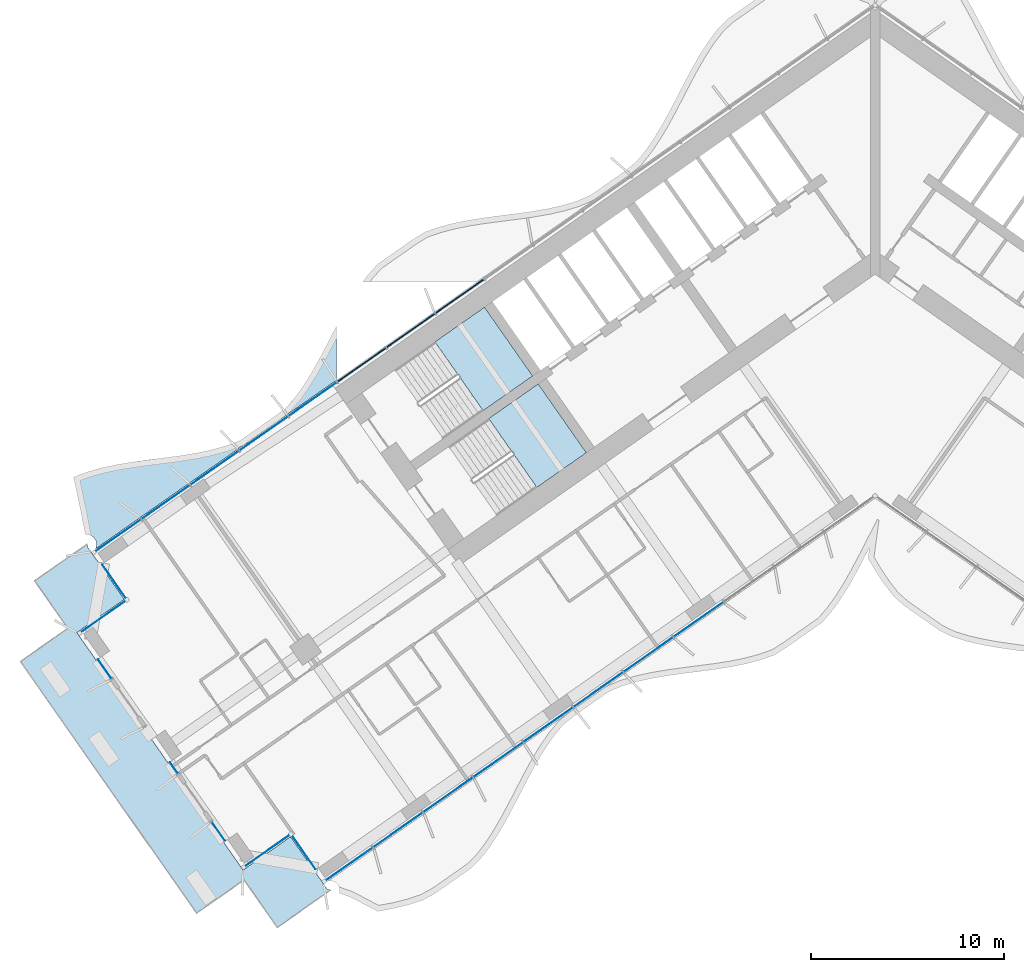
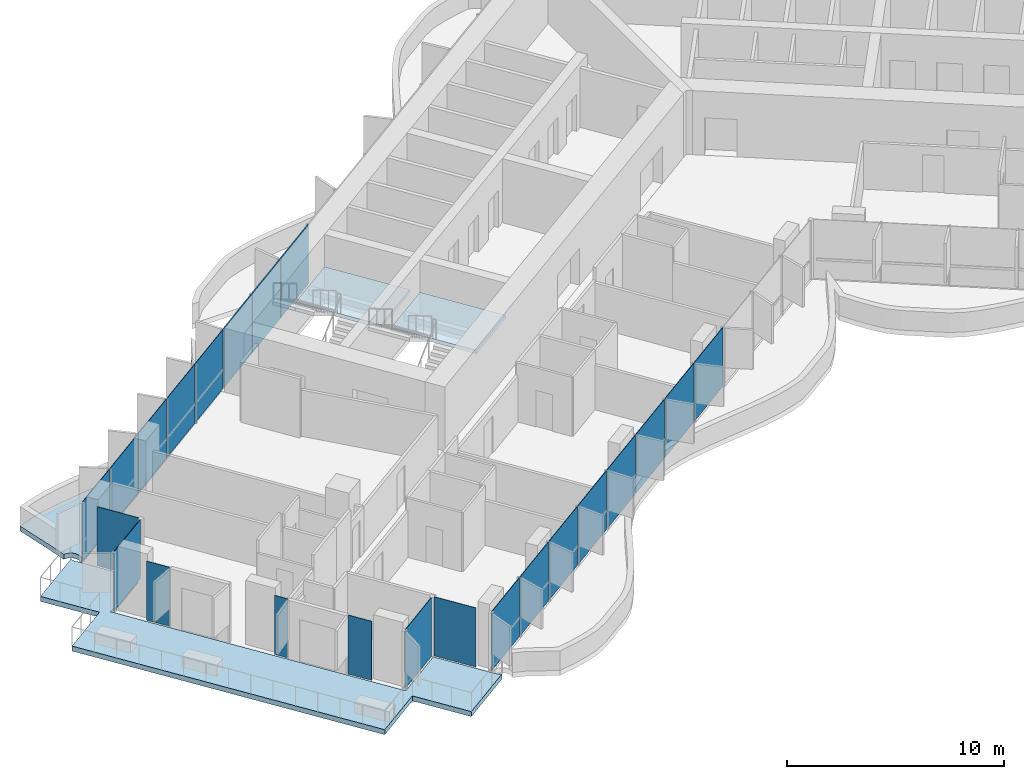
# One storey, part 10 of 25: 23 plates, 4 slabs, 6 elements without a shape of their own.
"""IFC4 building model written with IfcOpenShell, lengths in metres."""

import ifcopenshell
import ifcopenshell.guid

model = None  # the IFC model being written
_history = None  # IfcOwnerHistory: only IFC2X3 demands one
_inside = {}  # id of a spatial element -> (the spatial element, [elements in it])
_under = {}  # id of a project, library or spatial element -> (it, [spatial elements below it])
_declared = {}  # id of a project -> (the project, [libraries it declares])
_typed = {}  # id of a type object -> (the type object, [elements of that type])
_made_of = {}  # id of a material, layer set ... -> (it, [elements and type objects made of it])


def new_model(schema):
    """Start an empty IFC model of exactly this schema.

    Asked for "IFC4X3", IfcOpenShell would pick the latest addendum, in which some entities
    have other attributes; the version numbers below select the first issue.
    IFC2X3 requires an IfcOwnerHistory on every rooted entity: one is made here for all.
    """
    global model, _history
    if schema == "IFC4X3":
        model = ifcopenshell.file(schema_version=(4, 3, 0, 0))
    else:
        model = ifcopenshell.file(schema=schema)
    _inside.clear()
    _under.clear()
    _declared.clear()
    _typed.clear()
    _made_of.clear()
    _history = None
    if model.schema == "IFC2X3":
        org = make("IfcOrganization", Name="unknown")
        user = make(
            "IfcPersonAndOrganization",
            ThePerson=make("IfcPerson", FamilyName="unknown"),
            TheOrganization=org,
        )
        app = make(
            "IfcApplication",
            ApplicationDeveloper=org,
            Version="unknown",
            ApplicationFullName="unknown",
            ApplicationIdentifier="unknown",
        )
        _history = make(
            "IfcOwnerHistory",
            OwningUser=user,
            OwningApplication=app,
            ChangeAction="ADDED",
            CreationDate=0,
        )
    return model


def make(cls, **values):
    """One entity of the class cls with the attributes given. An attribute that is None is left unset."""
    return model.create_entity(
        cls, **{name: value for name, value in values.items() if value is not None}
    )


def rooted(cls, **values):
    """An entity with a GlobalId (a new one), such as an element, a storey or a relation."""
    return make(cls, GlobalId=ifcopenshell.guid.new(), OwnerHistory=_history, **values)


def si_unit(unit_type, name, prefix=None):
    """IfcSIUnit, for example si_unit("LENGTHUNIT", "METRE", prefix="MILLI")."""
    return make("IfcSIUnit", UnitType=unit_type, Prefix=prefix, Name=name)


def assignment(units):
    """IfcUnitAssignment: the units of a project."""
    return None if units is None else make("IfcUnitAssignment", Units=units)


def point(xyz):
    """IfcCartesianPoint."""
    return None if xyz is None else make("IfcCartesianPoint", Coordinates=xyz)


def direction(xyz):
    """IfcDirection."""
    return None if xyz is None else make("IfcDirection", DirectionRatios=xyz)


def frame(location, z_axis=None, x_axis=None):
    """IfcAxis2Placement3D, a coordinate frame: its origin and axes. An axis left out is left unset."""
    return make(
        "IfcAxis2Placement3D",
        Location=point(location),
        Axis=direction(z_axis),
        RefDirection=direction(x_axis),
    )


def frame_2d(location, x_axis=None):
    """IfcAxis2Placement2D, a coordinate frame in the plane: its origin and x axis."""
    return make(
        "IfcAxis2Placement2D", Location=point(location), RefDirection=direction(x_axis)
    )


def origin():
    """The frame at (0, 0, 0) with its axes left unset."""
    return frame((0.0, 0.0, 0.0))


def origin_2d():
    """The frame at (0, 0) in the plane with its x axis left unset."""
    return frame_2d((0.0, 0.0))


def place(relative_to, where):
    """IfcLocalPlacement: puts the frame where relative to a parent placement (None: the world)."""
    return make(
        "IfcLocalPlacement", PlacementRelTo=relative_to, RelativePlacement=where
    )


def context(
    kind, dimensions, precision=None, world=None, true_north=None, identifier=None
):
    """IfcGeometricRepresentationContext, for example the 3D "Model" context."""
    return make(
        "IfcGeometricRepresentationContext",
        ContextIdentifier=identifier,
        ContextType=kind,
        CoordinateSpaceDimension=dimensions,
        Precision=precision,
        WorldCoordinateSystem=world,
        TrueNorth=true_north,
    )


def subcontext(parent, identifier, kind, view, scale=None):
    """IfcGeometricRepresentationSubContext, for example "Body" below "Model"."""
    return make(
        "IfcGeometricRepresentationSubContext",
        ContextIdentifier=identifier,
        ContextType=kind,
        ParentContext=parent,
        TargetScale=scale,
        TargetView=view,
    )


def project(units=None, contexts=None):
    """IfcProject with its units and contexts."""
    return rooted(
        "IfcProject",
        Name="project",
        RepresentationContexts=contexts,
        UnitsInContext=assignment(units),
    )


def spatial(cls, under=None, at=None, **own):
    """A site, building, storey or space (cls), placed at a placement, below another one or the project."""
    s = rooted(cls, ObjectPlacement=at, **own)
    if under is not None:
        _under.setdefault(under.id(), (under, []))[1].append(s)
    return s


def polyline(points):
    """IfcPolyline through the points."""
    return make("IfcPolyline", Points=[point(p) for p in points])


def profile(cls, at=None, kind="AREA", **sizes):
    """A parametric profile (cls). Its sizes go by their IFC names, for example OverallWidth=200.0."""
    return make(cls, ProfileType=kind, Position=at, **sizes)


def rectangle(**sizes):
    """IfcRectangleProfileDef."""
    return profile("IfcRectangleProfileDef", **sizes)


def outline(outer, holes=None, kind="AREA"):
    """IfcArbitraryClosedProfileDef: a profile drawn as a closed curve; with holes, ...WithVoids."""
    if holes is None:
        return make("IfcArbitraryClosedProfileDef", ProfileType=kind, OuterCurve=outer)
    return make(
        "IfcArbitraryProfileDefWithVoids",
        ProfileType=kind,
        OuterCurve=outer,
        InnerCurves=holes,
    )


def extrude(swept, where, along, depth):
    """IfcExtrudedAreaSolid: the profile swept, set in the frame where, extruded along a direction by depth."""
    return make(
        "IfcExtrudedAreaSolid",
        SweptArea=swept,
        Position=where,
        ExtrudedDirection=direction(along),
        Depth=depth,
    )


def shape(context_of_items, identifier, shape_type, items):
    """IfcShapeRepresentation: the items that make up one representation, for example the "Body"."""
    return make(
        "IfcShapeRepresentation",
        ContextOfItems=context_of_items,
        RepresentationIdentifier=identifier,
        RepresentationType=shape_type,
        Items=items,
    )


def material(Name=None, Category=None):
    """IfcMaterial."""
    return make("IfcMaterial", Name=Name, Category=Category)


def layer(
    of_material, thickness, ventilated=None, Name=None, Category=None, Priority=None
):
    """IfcMaterialLayer: one layer of a wall or slab, of a material (None: an air gap)."""
    return make(
        "IfcMaterialLayer",
        Material=of_material,
        LayerThickness=thickness,
        IsVentilated=ventilated,
        Name=Name,
        Category=Category,
        Priority=Priority,
    )


def layer_set(layers, Name=None):
    """IfcMaterialLayerSet."""
    return make("IfcMaterialLayerSet", MaterialLayers=layers, LayerSetName=Name)


def made_of(thing, what):
    """Note that an element or type object is made of a material, layer set ...; save() writes the relation."""
    if what is not None:
        _made_of.setdefault(what.id(), (what, []))[1].append(thing)
    return thing


def type_object(cls, material=None, **own):
    """A type object (cls), such as IfcWallType, which elements share."""
    return made_of(rooted(cls, **own), material)


def element(
    cls,
    number,
    at=None,
    inside=None,
    cuts=None,
    type_object=None,
    material=None,
    context=None,
    identifier="Body",
    shape_type=None,
    held_by="IfcProductDefinitionShape",
    body=None,
    shapes=None,
    **own,
):
    """One element of the class cls, such as IfcWall. Its Tag is "e" and its number.

    at: its placement. inside: the storey or other place that contains it. cuts: it is an
    opening in that element (IfcRelVoidsElement). A single representation is given by context,
    identifier, shape_type and body (its items); several are given by shapes. held_by: the class
    of the entity that holds the representations. save() writes the other relations.
    """
    e = rooted(cls, Tag="e%d" % number, ObjectPlacement=at, **own)
    if body is not None:
        shapes = [shape(context, identifier, shape_type, body)]
    if shapes is not None:
        e.Representation = make(held_by, Representations=shapes)
    if inside is not None:
        _inside.setdefault(inside.id(), (inside, []))[1].append(e)
    if cuts is not None:
        rooted(
            "IfcRelVoidsElement", RelatingBuildingElement=cuts, RelatedOpeningElement=e
        )
    if type_object is not None:
        _typed.setdefault(type_object.id(), (type_object, []))[1].append(e)
    return made_of(e, material)


def aggregate(whole, parts):
    """IfcRelAggregates: a whole, such as a stair, and the parts it consists of."""
    return rooted("IfcRelAggregates", RelatingObject=whole, RelatedObjects=parts)


def save(model, path):
    """Write the relations noted so far, then the file.

    IfcRelAggregates (storeys below a building ...), IfcRelContainedInSpatialStructure (elements
    in a storey), IfcRelDefinesByType, IfcRelAssociatesMaterial and IfcRelDeclares: one each for
    every whole, place, type object, material and project.
    """
    for whole, parts in _under.values():
        aggregate(whole, parts)
    for where, things in _inside.values():
        rooted(
            "IfcRelContainedInSpatialStructure",
            RelatedElements=things,
            RelatingStructure=where,
        )
    for kind, things in _typed.values():
        rooted("IfcRelDefinesByType", RelatedObjects=things, RelatingType=kind)
    for what, things in _made_of.values():
        rooted("IfcRelAssociatesMaterial", RelatedObjects=things, RelatingMaterial=what)
    for by, libraries in _declared.values():
        rooted("IfcRelDeclares", RelatingContext=by, RelatedDefinitions=libraries)
    model.write(path)


model = new_model("IFC4")

# Units and contexts
model_context = context("Model", 3, precision=1e-05, world=origin(), true_north=direction((0.0, 1.0)))
body_context = subcontext(model_context, "Body", "Model", "MODEL_VIEW")
ifc_project = project(units=[si_unit("LENGTHUNIT", "METRE"), si_unit("AREAUNIT", "SQUARE_METRE"), si_unit("VOLUMEUNIT", "CUBIC_METRE"), si_unit("PLANEANGLEUNIT", "RADIAN"), si_unit("MASSUNIT", "GRAM", prefix="KILO")], contexts=[model_context])

# Site, building, storey
site_placement = place(None, origin())
site = spatial("IfcSite", under=ifc_project, at=site_placement, CompositionType="ELEMENT")
building_placement = place(site_placement, origin())
building = spatial("IfcBuilding", under=site, at=building_placement, Name="Tel Ilan Convention Tower", CompositionType="ELEMENT")
storey_placement = place(building_placement, frame((0.0, 0.0, 97.699951171875)))
storey = spatial("IfcBuildingStorey", under=building, at=storey_placement, Name="L20", CompositionType="ELEMENT", Elevation=97.699951171875)

# Curtain wall, plates
ifc_material_1 = material(Name="Aluminium, bronze anodised", Category="aluminium")
curtain_wall_type_1 = type_object("IfcCurtainWallType", Name="CW1 UNITISED CURTAIN WALL, HOTEL TINTED GLASS", PredefinedType="NOTDEFINED", material=ifc_material_1)
curtain_wall_1_placement = place(storey_placement, origin())
curtain_wall_1 = element("IfcCurtainWall", 1, at=curtain_wall_1_placement, inside=storey, type_object=curtain_wall_type_1, Name="Curtain wall CW1-18.02", PredefinedType="NOTDEFINED")
ifc_material_2 = material(Name="Glass, bronze tinted, two-ply unitised", Category="glass")
ifc_layer_1 = layer(ifc_material_2, 0.028076171875)
ifc_layer_set_1 = layer_set([ifc_layer_1], Name="CW HOTEL GLASS PANEL 28")
plate_type_1 = type_object("IfcPlateType", Name="CW HOTEL GLASS PANEL 28", PredefinedType="CURTAIN_PANEL", material=ifc_layer_set_1)
plate_1_placement = place(storey_placement, frame((-29.1171875, -7.692138671875, 0.0), z_axis=(0.0, 0.0, 1.0), x_axis=(-0.819152044289, -0.573576436351, 0.0)))
plate_1 = element("IfcPlate", 2, at=plate_1_placement, type_object=plate_type_1, Name="Glass panel", PredefinedType="CURTAIN_PANEL", context=body_context, shape_type="SweptSolid", body=[
    extrude(rectangle(XDim=3.037109375, YDim=0.028076171875, at=origin_2d()), origin(), (0.0, 0.0, 1.0), 3.320068359375),
])
plate_2_placement = place(storey_placement, frame((-31.654296875, -9.468505859375, 0.0), z_axis=(0.0, 0.0, 1.0), x_axis=(-0.819152044289, -0.573576436351, 0.0)))
plate_2 = element("IfcPlate", 3, at=plate_2_placement, type_object=plate_type_1, Name="Glass panel", PredefinedType="CURTAIN_PANEL", context=body_context, shape_type="SweptSolid", body=[
    extrude(rectangle(XDim=3.037109375, YDim=0.028076171875, at=origin_2d()), origin(), (0.0, 0.0, 1.0), 3.320068359375),
])
plate_3_placement = place(storey_placement, frame((-34.191162109375, -11.244873046875, 0.0), z_axis=(0.0, 0.0, 1.0), x_axis=(-0.819152044289, -0.573576436351, 0.0)))
plate_3 = element("IfcPlate", 4, at=plate_3_placement, type_object=plate_type_1, Name="Glass panel", PredefinedType="CURTAIN_PANEL", context=body_context, shape_type="SweptSolid", body=[
    extrude(rectangle(XDim=3.037109375, YDim=0.028076171875, at=origin_2d()), origin(), (0.0, 0.0, 1.0), 3.320068359375),
])
plate_4_placement = place(storey_placement, frame((-36.72802734375, -13.021240234375, 0.0), z_axis=(0.0, 0.0, 1.0), x_axis=(-0.819152044289, -0.573576436351, 0.0)))
plate_4 = element("IfcPlate", 5, at=plate_4_placement, type_object=plate_type_1, Name="Glass panel", PredefinedType="CURTAIN_PANEL", context=body_context, shape_type="SweptSolid", body=[
    extrude(rectangle(XDim=3.037109375, YDim=0.028076171875, at=origin_2d()), origin(), (0.0, 0.0, 1.0), 3.320068359375),
])
plate_5_placement = place(storey_placement, frame((-39.2265625, -14.7705078125, 0.0), z_axis=(0.0, 0.0, 1.0), x_axis=(-0.819152044289, -0.573576436351, 0.0)))
plate_5 = element("IfcPlate", 6, at=plate_5_placement, type_object=plate_type_1, Name="Glass panel", PredefinedType="CURTAIN_PANEL", context=body_context, shape_type="SweptSolid", body=[
    extrude(rectangle(XDim=2.943115234375, YDim=0.028076171875, at=origin_2d()), origin(), (0.0, 0.0, 1.0), 3.320068359375),
])
plate_6_placement = place(storey_placement, frame((-39.3974609375, -17.133544921875, 0.0), z_axis=(0.0, 0.0, 1.0), x_axis=(0.573576436351, -0.819152044289, 0.0)))
plate_6 = element("IfcPlate", 7, at=plate_6_placement, type_object=plate_type_1, Name="Glass panel", PredefinedType="CURTAIN_PANEL", context=body_context, shape_type="SweptSolid", body=[
    extrude(rectangle(XDim=2.123046875, YDim=0.028076171875, at=origin_2d()), origin(), (0.0, 0.0, 1.0), 3.320068359375),
])
plate_7_placement = place(storey_placement, frame((-39.990966796875, -18.96826171875, 0.0), z_axis=(0.0, 0.0, 1.0), x_axis=(-0.819152044289, -0.573576436351, 0.0)))
plate_7 = element("IfcPlate", 8, at=plate_7_placement, type_object=plate_type_1, Name="Glass panel", PredefinedType="CURTAIN_PANEL", context=body_context, shape_type="SweptSolid", body=[
    extrude(rectangle(XDim=2.875, YDim=0.028076171875, at=origin_2d()), origin(), (0.0, 0.0, 1.0), 3.320068359375),
])
plate_8_placement = place(storey_placement, frame((-39.884521484375, -21.66845703125, 0.0), z_axis=(0.0, 0.0, 1.0), x_axis=(0.573576436351, -0.819152044289, 0.0)))
plate_8 = element("IfcPlate", 9, at=plate_8_placement, type_object=plate_type_1, Name="Glass panel", PredefinedType="CURTAIN_PANEL", context=body_context, shape_type="SweptSolid", body=[
    extrude(rectangle(XDim=1.194091796875, YDim=0.028076171875, at=origin_2d()), origin(), (0.0, 0.0, 1.0), 3.320068359375),
])
aggregate(curtain_wall_1, [plate_1, plate_2, plate_3, plate_4, plate_5, plate_6, plate_7, plate_8])

# Curtain wall, plate
curtain_wall_2_placement = place(storey_placement, origin())
curtain_wall_2 = element("IfcCurtainWall", 10, at=curtain_wall_2_placement, inside=storey, type_object=curtain_wall_type_1, Name="Curtain wall CW1-18.04", PredefinedType="NOTDEFINED")
plate_9_placement = place(storey_placement, frame((-36.299560546875, -26.7880859375, 0.0), z_axis=(0.0, 0.0, 1.0), x_axis=(0.573576436351, -0.819152044289, 0.0)))
plate_9 = element("IfcPlate", 11, at=plate_9_placement, type_object=plate_type_1, Name="Glass panel", PredefinedType="CURTAIN_PANEL", context=body_context, shape_type="SweptSolid", body=[
    extrude(rectangle(XDim=0.694091796875, YDim=0.028076171875, at=origin_2d()), origin(), (0.0, 0.0, 1.0), 3.320068359375),
])
aggregate(curtain_wall_2, [plate_9])

# Curtain wall, plates
curtain_wall_3_placement = place(storey_placement, origin())
curtain_wall_3 = element("IfcCurtainWall", 12, at=curtain_wall_3_placement, inside=storey, type_object=curtain_wall_type_1, Name="Curtain wall CW1-18.06", PredefinedType="NOTDEFINED")
plate_10_placement = place(storey_placement, frame((-34.0029296875, -30.068115234375, 0.0), z_axis=(0.0, 0.0, 1.0), x_axis=(0.573576436351, -0.819152044289, 0.0)))
plate_10 = element("IfcPlate", 13, at=plate_10_placement, type_object=plate_type_1, Name="Glass panel", PredefinedType="CURTAIN_PANEL", context=body_context, shape_type="SweptSolid", body=[
    extrude(rectangle(XDim=1.194091796875, YDim=0.028076171875, at=origin_2d()), origin(), (0.0, 0.0, 1.0), 3.320068359375),
])
plate_11_placement = place(storey_placement, frame((-31.502197265625, -31.091796875, 0.0), z_axis=(0.0, 0.0, 1.0), x_axis=(0.819152044289, 0.573576436351, 0.0)))
plate_11 = element("IfcPlate", 14, at=plate_11_placement, type_object=plate_type_1, Name="Glass panel", PredefinedType="CURTAIN_PANEL", context=body_context, shape_type="SweptSolid", body=[
    extrude(rectangle(XDim=2.875, YDim=0.028076171875, at=origin_2d()), origin(), (0.0, 0.0, 1.0), 3.320068359375),
])
plate_12_placement = place(storey_placement, frame((-29.574951171875, -31.16162109375, 0.0), z_axis=(0.0, 0.0, 1.0), x_axis=(0.573576436351, -0.819152044289, 0.0)))
plate_12 = element("IfcPlate", 15, at=plate_12_placement, type_object=plate_type_1, Name="Glass panel", PredefinedType="CURTAIN_PANEL", context=body_context, shape_type="SweptSolid", body=[
    extrude(rectangle(XDim=2.123046875, YDim=0.028076171875, at=origin_2d()), origin(), (0.0, 0.0, 1.0), 3.320068359375),
])
plate_13_placement = place(storey_placement, frame((-27.26708984375, -31.78857421875, 0.0), z_axis=(0.0, 0.0, 1.0), x_axis=(0.819152044289, 0.573576436351, 0.0)))
plate_13 = element("IfcPlate", 16, at=plate_13_placement, type_object=plate_type_1, Name="Glass panel", PredefinedType="CURTAIN_PANEL", context=body_context, shape_type="SweptSolid", body=[
    extrude(rectangle(XDim=3.013916015625, YDim=0.028076171875, at=origin_2d()), origin(), (0.0, 0.0, 1.0), 3.320068359375),
])
plate_14_placement = place(storey_placement, frame((-24.71044921875, -29.99853515625, 0.0), z_axis=(0.0, 0.0, 1.0), x_axis=(0.819152044289, 0.573576436351, 0.0)))
plate_14 = element("IfcPlate", 17, at=plate_14_placement, type_object=plate_type_1, Name="Glass panel", PredefinedType="CURTAIN_PANEL", context=body_context, shape_type="SweptSolid", body=[
    extrude(rectangle(XDim=3.10791015625, YDim=0.028076171875, at=origin_2d()), origin(), (0.0, 0.0, 1.0), 3.320068359375),
])
plate_15_placement = place(storey_placement, frame((-22.115478515625, -28.181396484375, 0.0), z_axis=(0.0, 0.0, 1.0), x_axis=(0.819152044289, 0.573576436351, 0.0)))
plate_15 = element("IfcPlate", 18, at=plate_15_placement, type_object=plate_type_1, Name="Glass panel", PredefinedType="CURTAIN_PANEL", context=body_context, shape_type="SweptSolid", body=[
    extrude(rectangle(XDim=3.10791015625, YDim=0.028076171875, at=origin_2d()), origin(), (0.0, 0.0, 1.0), 3.320068359375),
])
plate_16_placement = place(storey_placement, frame((-19.520263671875, -26.3642578125, 0.0), z_axis=(0.0, 0.0, 1.0), x_axis=(0.819152044289, 0.573576436351, 0.0)))
plate_16 = element("IfcPlate", 19, at=plate_16_placement, type_object=plate_type_1, Name="Glass panel", PredefinedType="CURTAIN_PANEL", context=body_context, shape_type="SweptSolid", body=[
    extrude(rectangle(XDim=3.10791015625, YDim=0.028076171875, at=origin_2d()), origin(), (0.0, 0.0, 1.0), 3.320068359375),
])
plate_17_placement = place(storey_placement, frame((-16.92529296875, -24.54736328125, 0.0), z_axis=(0.0, 0.0, 1.0), x_axis=(0.819152044289, 0.573576436351, 0.0)))
plate_17 = element("IfcPlate", 20, at=plate_17_placement, type_object=plate_type_1, Name="Glass panel", PredefinedType="CURTAIN_PANEL", context=body_context, shape_type="SweptSolid", body=[
    extrude(rectangle(XDim=3.10791015625, YDim=0.028076171875, at=origin_2d()), origin(), (0.0, 0.0, 1.0), 3.320068359375),
])
plate_18_placement = place(storey_placement, frame((-14.330078125, -22.730224609375, 0.0), z_axis=(0.0, 0.0, 1.0), x_axis=(0.819152044289, 0.573576436351, 0.0)))
plate_18 = element("IfcPlate", 21, at=plate_18_placement, type_object=plate_type_1, Name="Glass panel", PredefinedType="CURTAIN_PANEL", context=body_context, shape_type="SweptSolid", body=[
    extrude(rectangle(XDim=3.10791015625, YDim=0.028076171875, at=origin_2d()), origin(), (0.0, 0.0, 1.0), 3.320068359375),
])
plate_19_placement = place(storey_placement, frame((-11.735107421875, -20.9130859375, 0.0), z_axis=(0.0, 0.0, 1.0), x_axis=(0.819152044289, 0.573576436351, 0.0)))
plate_19 = element("IfcPlate", 22, at=plate_19_placement, type_object=plate_type_1, Name="Glass panel", PredefinedType="CURTAIN_PANEL", context=body_context, shape_type="SweptSolid", body=[
    extrude(rectangle(XDim=3.10791015625, YDim=0.028076171875, at=origin_2d()), origin(), (0.0, 0.0, 1.0), 3.320068359375),
])
plate_20_placement = place(storey_placement, frame((-9.14013671875, -19.095947265625, 0.0), z_axis=(0.0, 0.0, 1.0), x_axis=(0.819152044289, 0.573576436351, 0.0)))
plate_20 = element("IfcPlate", 23, at=plate_20_placement, type_object=plate_type_1, Name="Glass panel", PredefinedType="CURTAIN_PANEL", context=body_context, shape_type="SweptSolid", body=[
    extrude(rectangle(XDim=3.10791015625, YDim=0.028076171875, at=origin_2d()), origin(), (0.0, 0.0, 1.0), 3.320068359375),
])
aggregate(curtain_wall_3, [plate_10, plate_11, plate_12, plate_13, plate_14, plate_15, plate_16, plate_17, plate_18, plate_19, plate_20])

ifc_material_3 = material(Name="Aluminium, bronze anodised", Category="aluminium")
curtain_wall_type_2 = type_object("IfcCurtainWallType", Name="CW2 STICK CURTAIN WALL, SPANDREL PANELS", PredefinedType="NOTDEFINED", material=ifc_material_3)
curtain_wall_4_placement = place(storey_placement, origin())
curtain_wall_4 = element("IfcCurtainWall", 24, at=curtain_wall_4_placement, inside=storey, type_object=curtain_wall_type_2, Name="Curtain wall CW2-18.01", PredefinedType="NOTDEFINED")
ifc_material_4 = material(Name="Aluminium composite panel, bronze anodised", Category="aluminium")
ifc_layer_2 = layer(ifc_material_4, 0.06005859375)
ifc_layer_set_2 = layer_set([ifc_layer_2], Name="CW SPANDREL PANEL 60")
plate_type_2 = type_object("IfcPlateType", Name="CW SPANDREL PANEL 60", PredefinedType="CURTAIN_PANEL", material=ifc_layer_set_2)
plate_21_placement = place(storey_placement, frame((-21.506591796875, -2.363037109375, 0.0), z_axis=(0.0, 0.0, 1.0), x_axis=(-0.819152044289, -0.573576436351, 0.0)))
plate_21 = element("IfcPlate", 25, at=plate_21_placement, type_object=plate_type_2, Name="Spandrel panel", PredefinedType="CURTAIN_PANEL", context=body_context, shape_type="SweptSolid", body=[
    extrude(rectangle(XDim=3.037109375, YDim=0.06005859375, at=origin_2d()), origin(), (0.0, 0.0, 1.0), 3.320068359375),
])
plate_22_placement = place(storey_placement, frame((-24.04345703125, -4.139404296875, 0.0), z_axis=(0.0, 0.0, 1.0), x_axis=(-0.819152044289, -0.573576436351, 0.0)))
plate_22 = element("IfcPlate", 26, at=plate_22_placement, type_object=plate_type_2, Name="Spandrel panel", PredefinedType="CURTAIN_PANEL", context=body_context, shape_type="SweptSolid", body=[
    extrude(rectangle(XDim=3.037109375, YDim=0.06005859375, at=origin_2d()), origin(), (0.0, 0.0, 1.0), 3.320068359375),
])
plate_23_placement = place(storey_placement, frame((-26.580322265625, -5.915771484375, 0.0), z_axis=(0.0, 0.0, 1.0), x_axis=(-0.819152044289, -0.573576436351, 0.0)))
plate_23 = element("IfcPlate", 27, at=plate_23_placement, type_object=plate_type_2, Name="Spandrel panel", PredefinedType="CURTAIN_PANEL", context=body_context, shape_type="SweptSolid", body=[
    extrude(rectangle(XDim=3.037109375, YDim=0.06005859375, at=origin_2d()), origin(), (0.0, 0.0, 1.0), 3.320068359375),
])
aggregate(curtain_wall_4, [plate_21, plate_22, plate_23])

# Stair, slab
ifc_material_5 = material(Name="Concrete C40/50", Category="concrete")
stair_type = type_object("IfcStairType", Name="Pressurised Exit Stair 20 risers 180 mm", PredefinedType="HALF_TURN_STAIR", material=ifc_material_5)
stair_1_placement = place(storey_placement, origin())
stair_1 = element("IfcStair", 28, at=stair_1_placement, inside=storey, type_object=stair_type, Name="L20 Pressurised Stair S1", PredefinedType="HALF_TURN_STAIR")
ifc_material_6 = material(Name="Concrete C40/50", Category="concrete")
ifc_layer_3 = layer(ifc_material_6, 0.199951171875)
ifc_layer_set_3 = layer_set([ifc_layer_3], Name="Concrete Stair Landing 200 mm C40/50")
slab_type_1 = type_object("IfcSlabType", Name="Concrete Stair Landing 200 mm", PredefinedType="LANDING", material=ifc_layer_set_3)
slab_1_placement = place(storey_placement, frame((0.0, 0.0, 1.60009765625)))
slab_1 = element("IfcSlab", 29, at=slab_1_placement, type_object=slab_type_1, Name="S1 landing 1", PredefinedType="LANDING", context=body_context, shape_type="SweptSolid", body=[
    extrude(outline(polyline([(-20.2958984375, -8.29052734375), (-17.7314453125, -6.494873046875), (-20.226318359375, -2.931640625), (-22.791015625, -4.727294921875), (-20.2958984375, -8.29052734375)])), origin(), (0.0, 0.0, 1.0), 0.199951171875),
])
aggregate(stair_1, [slab_1])

stair_2_placement = place(storey_placement, origin())
stair_2 = element("IfcStair", 30, at=stair_2_placement, inside=storey, type_object=stair_type, Name="L20 Pressurised Stair S2", PredefinedType="HALF_TURN_STAIR")
slab_2_placement = place(storey_placement, frame((0.0, 0.0, 1.60009765625)))
slab_2 = element("IfcSlab", 31, at=slab_2_placement, type_object=slab_type_1, Name="S2 landing 1", PredefinedType="LANDING", context=body_context, shape_type="SweptSolid", body=[
    extrude(outline(polyline([(-17.51416015625, -12.263427734375), (-14.949462890625, -10.4677734375), (-17.444580078125, -6.904541015625), (-20.00927734375, -8.7001953125), (-17.51416015625, -12.263427734375)])), origin(), (0.0, 0.0, 1.0), 0.199951171875),
])
aggregate(stair_2, [slab_2])

# Slabs
ifc_material_7 = material(Name="Concrete C40/50", Category="concrete")
ifc_layer_4 = layer(ifc_material_7, 0.280029296875)
ifc_layer_set_4 = layer_set([ifc_layer_4], Name="Edge Ledge Slab 280 mm C40/50")
slab_type_2 = type_object("IfcSlabType", Name="Edge Ledge Slab 280 mm C40/50", PredefinedType="FLOOR", material=ifc_layer_set_4)
slab_3_placement = place(storey_placement, frame((0.0, 0.0, -0.280029296875)))
element("IfcSlab", 32, at=slab_3_placement, inside=storey, type_object=slab_type_2, Name="L20 edge ledge 3", PredefinedType="FLOOR", context=body_context, shape_type="SweptSolid", body=[
    extrude(outline(polyline([(-37.610595703125, -10.833984375), (-36.781005859375, -10.729248046875), (-35.956298828125, -10.61767578125), (-35.146240234375, -10.485107421875), (-34.360107421875, -10.318603515625), (-33.60546875, -10.106689453125), (-32.88916015625, -9.84033203125), (-32.28125, -9.419189453125), (-31.069580078125, -8.57080078125), (-30.476318359375, -8.128662109375), (-29.9853515625, -7.540283203125), (-29.5322265625, -6.89794921875), (-29.10986328125, -6.211669921875), (-28.71044921875, -5.492919921875), (-28.324462890625, -4.754638671875), (-27.9423828125, -4.010986328125), (-27.875, -3.88330078125), (-27.875, -6.7001953125), (-40.373291015625, -15.45166015625), (-40.34619140625, -15.390869140625), (-40.330810546875, -15.34423828125), (-40.31982421875, -15.29638671875), (-40.313720703125, -15.247802734375), (-40.312255859375, -15.198486328125), (-40.31591796875, -15.149658203125), (-40.32421875, -15.101318359375), (-40.3369140625, -15.053955078125), (-40.3544921875, -15.00830078125), (-40.37646484375, -14.96435546875), (-40.402587890625, -14.922607421875), (-40.4326171875, -14.884033203125), (-40.466552734375, -14.848388671875), (-40.50341796875, -14.816162109375), (-40.543701171875, -14.787841796875), (-40.586181640625, -14.763427734375), (-40.631103515625, -14.743408203125), (-40.677490234375, -14.72802734375), (-40.725341796875, -14.717041015625), (-40.774169921875, -14.7109375), (-40.822998046875, -14.709716796875), (-40.8720703125, -14.713134765625), (-40.88818359375, -14.7158203125), (-41.11181640625, -13.5703125), (-41.499267578125, -11.727294921875), (-40.784912109375, -11.45849609375), (-40.03076171875, -11.24609375), (-39.244873046875, -11.078857421875), (-38.43505859375, -10.94580078125), (-37.610595703125, -10.833984375)])), origin(), (0.0, 0.0, 1.0), 0.280029296875),
])
ifc_material_8 = material(Name="Concrete C40/50", Category="concrete")
ifc_layer_5 = layer(ifc_material_8, 0.280029296875)
ifc_layer_set_5 = layer_set([ifc_layer_5], Name="Terrace Deck Slab 280 mm C40/50")
slab_type_3 = type_object("IfcSlabType", Name="Terrace Deck Slab 280 mm C40/50", PredefinedType="FLOOR", material=ifc_layer_set_5)
slab_4_placement = place(storey_placement, frame((0.0, 0.0, -0.280029296875)))
element("IfcSlab", 33, at=slab_4_placement, inside=storey, type_object=slab_type_3, Name="L20 terrace deck 1", PredefinedType="FLOOR", context=body_context, shape_type="SweptSolid", body=[
    extrude(outline(polyline([(-35.1279296875, -34.302001953125), (-44.247802734375, -21.277587890625), (-41.790283203125, -19.556884765625), (-43.510986328125, -17.099365234375), (-40.794189453125, -15.197021484375), (-40.7626953125, -15.358154296875), (-38.8701171875, -18.061279296875), (-41.327392578125, -19.781982421875), (-32.723876953125, -32.0693359375), (-30.266357421875, -30.3486328125), (-28.37353515625, -33.0517578125), (-28.19873046875, -33.112548828125), (-30.94970703125, -35.038818359375), (-32.67041015625, -32.581298828125), (-35.1279296875, -34.302001953125)])), origin(), (0.0, 0.0, 1.0), 0.280029296875),
])

save(model, "model.ifc")
